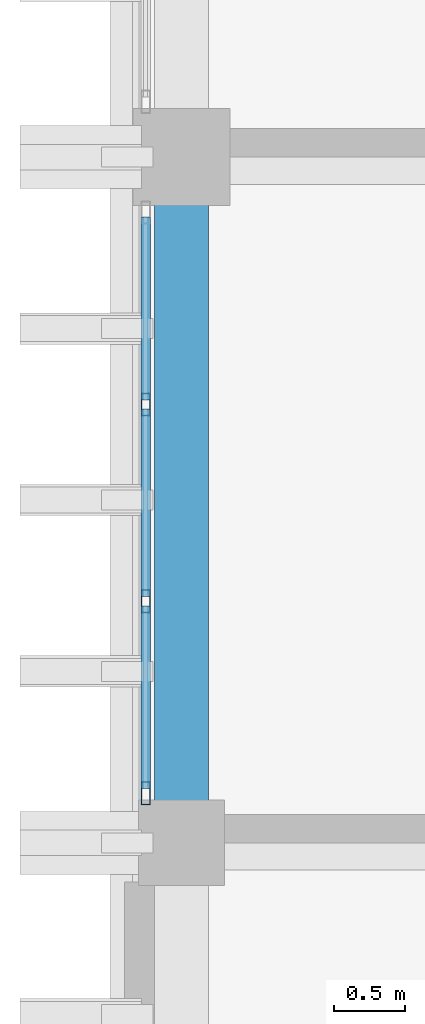
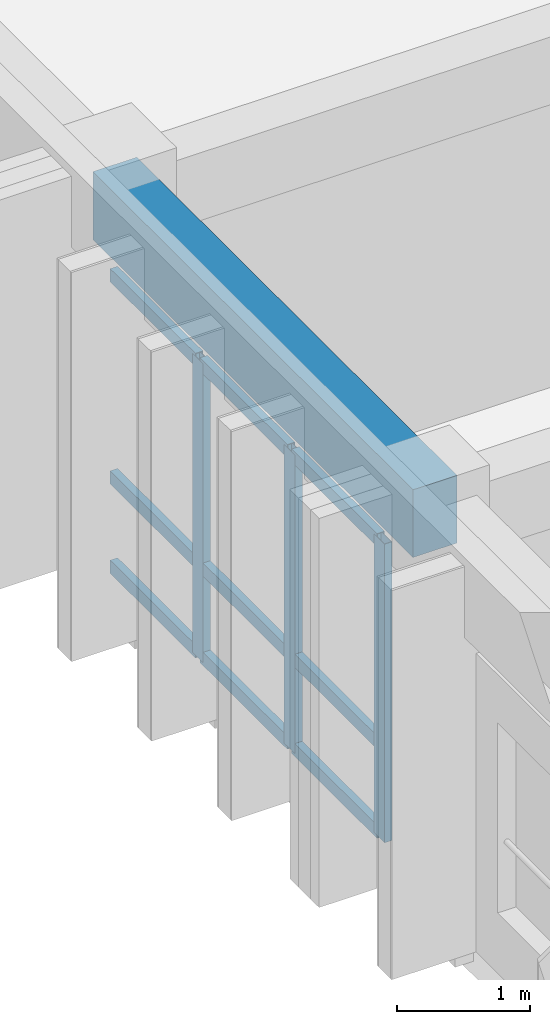
# One storey, part 4 of 53: 12 members, 1 beam, 1 element without a shape of its own.
"""IFC4 building model written with IfcOpenShell, lengths in metres."""

from ifc_helpers import new_model, si_unit, direction, frame, origin, origin_2d, place, context, subcontext, project, spatial, rectangle, hollow_rectangle, extrude, material, layer, layer_set, material_profile, profile_set, type_object, element, aggregate, save


model = new_model("IFC4")

# Units and contexts
model_context = context("Model", 3, precision=1e-05, world=origin(), true_north=direction((0.0, 1.0)))
body_context = subcontext(model_context, "Body", "Model", "MODEL_VIEW")
ifc_project = project(units=[si_unit("LENGTHUNIT", "METRE"), si_unit("AREAUNIT", "SQUARE_METRE"), si_unit("VOLUMEUNIT", "CUBIC_METRE"), si_unit("PLANEANGLEUNIT", "RADIAN"), si_unit("MASSUNIT", "GRAM", prefix="KILO")], contexts=[model_context])

# Site, building, storey
site_placement = place(None, origin())
site = spatial("IfcSite", under=ifc_project, at=site_placement, CompositionType="ELEMENT")
building_placement = place(site_placement, origin())
building = spatial("IfcBuilding", under=site, at=building_placement, Name="Nakhvara Creek Congress Hotel", CompositionType="ELEMENT")
storey_placement = place(building_placement, frame((0.0, 0.0, 35.39990234375)))
storey = spatial("IfcBuildingStorey", under=building, at=storey_placement, Name="L08", CompositionType="ELEMENT", Elevation=35.39990234375)

# Beam
ifc_material_1 = material(Name="Concrete C40/50", Category="concrete")
ifc_material_profile_1 = material_profile(ifc_material_1, rectangle(XDim=0.3798828125, YDim=0.6201171875, at=origin_2d()), Name="RC-BM 380x620", Category="LoadBearing")
ifc_profile_set_1 = profile_set([ifc_material_profile_1], Name="Concrete C40/50")
beam_type = type_object("IfcBeamType", Name="BM-RC-380X620", PredefinedType="BEAM", material=ifc_profile_set_1)
beam_placement = place(storey_placement, frame((149.449951171875, 62.39990234375, 3.050048828125), z_axis=(0.0, 1.0, 0.0), x_axis=(-1.0, 0.0, 0.0)))
element("IfcBeam", 1, at=beam_placement, inside=storey, type_object=beam_type, Name="Beam B10-L08-2433", PredefinedType="BEAM", context=body_context, shape_type="SweptSolid", body=[
    extrude(rectangle(XDim=0.3798828125, YDim=0.6201171875, at=origin_2d()), origin(), (0.0, 0.0, 1.0), 4.800048828125),
])

# Curtain wall, members
ifc_material_2 = material(Name="Bronze-anodised aluminium AW-6063-T6 and double-silver low-E glass", Category="aluminium")
ifc_layer = layer(ifc_material_2, 0.199951171875)
ifc_layer_set = layer_set([ifc_layer], Name="Bronze-anodised aluminium AW-6063-T6 and double-silver low-E glass")
curtain_wall_type = type_object("IfcCurtainWallType", Name="CW-HTL-UNIT", PredefinedType="USERDEFINED", material=ifc_layer_set)
curtain_wall_placement = place(storey_placement, origin())
curtain_wall = element("IfcCurtainWall", 2, at=curtain_wall_placement, inside=storey, type_object=curtain_wall_type, Name="Curtain Wall CW278", ObjectType="UNITISED", PredefinedType="USERDEFINED")
ifc_material_3 = material(Name="Bronze-anodised aluminium AW-6063-T6", Category="aluminium")
ifc_material_profile_2 = material_profile(ifc_material_3, hollow_rectangle(XDim=0.06494140625, YDim=0.159912109375, WallThickness=0.00390625, at=origin_2d()), Name="ALU-MULL 65x160x4", Category="LoadBearing")
ifc_profile_set_2 = profile_set([ifc_material_profile_2], Name="Bronze-anodised aluminium AW-6063-T6")
member_type_1 = type_object("IfcMemberType", Name="CW-MULL-160", PredefinedType="MULLION", material=ifc_profile_set_2)
member_1_placement = place(storey_placement, frame((149.199951171875, 62.74755859375, 0.0), z_axis=(0.0, 0.0, 1.0), x_axis=(-1.0, 0.0, 0.0)))
member_1 = element("IfcMember", 3, at=member_1_placement, type_object=member_type_1, Name="CW278 mullion 1", PredefinedType="MULLION", context=body_context, shape_type="SweptSolid", body=[
    extrude(hollow_rectangle(XDim=0.06494140625, YDim=0.159912109375, WallThickness=0.00390625, at=origin_2d()), origin(), (0.0, 0.0, 1.0), 2.732177734375),
])
member_2_placement = place(storey_placement, frame((149.199951171875, 64.091552734375, 0.0), z_axis=(0.0, 0.0, 1.0), x_axis=(-1.0, 0.0, 0.0)))
member_2 = element("IfcMember", 4, at=member_2_placement, type_object=member_type_1, Name="CW278 mullion 2", PredefinedType="MULLION", context=body_context, shape_type="SweptSolid", body=[
    extrude(hollow_rectangle(XDim=0.06494140625, YDim=0.159912109375, WallThickness=0.00390625, at=origin_2d()), origin(), (0.0, 0.0, 1.0), 2.732177734375),
])
member_3_placement = place(storey_placement, frame((149.199951171875, 65.46826171875, 0.0), z_axis=(0.0, 0.0, 1.0), x_axis=(-1.0, 0.0, 0.0)))
member_3 = element("IfcMember", 5, at=member_3_placement, type_object=member_type_1, Name="CW278 mullion 3", PredefinedType="MULLION", context=body_context, shape_type="SweptSolid", body=[
    extrude(hollow_rectangle(XDim=0.06494140625, YDim=0.159912109375, WallThickness=0.00390625, at=origin_2d()), origin(), (0.0, 0.0, 1.0), 2.732177734375),
])
ifc_material_profile_3 = material_profile(ifc_material_3, hollow_rectangle(XDim=0.06494140625, YDim=0.1201171875, WallThickness=0.00390625, at=origin_2d()), Name="ALU-TRAN 65x120x4", Category="LoadBearing")
ifc_profile_set_3 = profile_set([ifc_material_profile_3], Name="Bronze-anodised aluminium AW-6063-T6")
member_type_2 = type_object("IfcMemberType", Name="CW-TRAN-120", PredefinedType="USERDEFINED", material=ifc_profile_set_3)
member_4_placement = place(storey_placement, frame((149.199951171875, 62.780029296875, 0.03271484375), z_axis=(0.0, 1.0, 0.0), x_axis=(-1.0, 0.0, 0.0)))
member_4 = element("IfcMember", 6, at=member_4_placement, type_object=member_type_2, Name="CW278 transom 1.1", ObjectType="TRANSOM", PredefinedType="USERDEFINED", context=body_context, shape_type="SweptSolid", body=[
    extrude(hollow_rectangle(XDim=0.06494140625, YDim=0.1201171875, WallThickness=0.00390625, at=origin_2d()), origin(), (0.0, 0.0, 1.0), 1.279052734375),
])
member_5_placement = place(storey_placement, frame((149.199951171875, 62.780029296875, 0.85009765625), z_axis=(0.0, 1.0, 0.0), x_axis=(-1.0, 0.0, 0.0)))
member_5 = element("IfcMember", 7, at=member_5_placement, type_object=member_type_2, Name="CW278 transom 1.2", ObjectType="TRANSOM", PredefinedType="USERDEFINED", context=body_context, shape_type="SweptSolid", body=[
    extrude(hollow_rectangle(XDim=0.06494140625, YDim=0.1201171875, WallThickness=0.00390625, at=origin_2d()), origin(), (0.0, 0.0, 1.0), 1.279052734375),
])
member_6_placement = place(storey_placement, frame((149.199951171875, 62.780029296875, 2.69970703125), z_axis=(0.0, 1.0, 0.0), x_axis=(-1.0, 0.0, 0.0)))
member_6 = element("IfcMember", 8, at=member_6_placement, type_object=member_type_2, Name="CW278 transom 1.3", ObjectType="TRANSOM", PredefinedType="USERDEFINED", context=body_context, shape_type="SweptSolid", body=[
    extrude(hollow_rectangle(XDim=0.06494140625, YDim=0.1201171875, WallThickness=0.00390625, at=origin_2d()), origin(), (0.0, 0.0, 1.0), 1.279052734375),
])
member_7_placement = place(storey_placement, frame((149.199951171875, 64.124267578125, 0.03271484375), z_axis=(0.0, 1.0, 0.0), x_axis=(-1.0, 0.0, 0.0)))
member_7 = element("IfcMember", 9, at=member_7_placement, type_object=member_type_2, Name="CW278 transom 2.1", ObjectType="TRANSOM", PredefinedType="USERDEFINED", context=body_context, shape_type="SweptSolid", body=[
    extrude(hollow_rectangle(XDim=0.06494140625, YDim=0.1201171875, WallThickness=0.00390625, at=origin_2d()), origin(), (0.0, 0.0, 1.0), 1.3115234375),
])
member_8_placement = place(storey_placement, frame((149.199951171875, 64.124267578125, 0.85009765625), z_axis=(0.0, 1.0, 0.0), x_axis=(-1.0, 0.0, 0.0)))
member_8 = element("IfcMember", 10, at=member_8_placement, type_object=member_type_2, Name="CW278 transom 2.2", ObjectType="TRANSOM", PredefinedType="USERDEFINED", context=body_context, shape_type="SweptSolid", body=[
    extrude(hollow_rectangle(XDim=0.06494140625, YDim=0.1201171875, WallThickness=0.00390625, at=origin_2d()), origin(), (0.0, 0.0, 1.0), 1.3115234375),
])
member_9_placement = place(storey_placement, frame((149.199951171875, 64.124267578125, 2.69970703125), z_axis=(0.0, 1.0, 0.0), x_axis=(-1.0, 0.0, 0.0)))
member_9 = element("IfcMember", 11, at=member_9_placement, type_object=member_type_2, Name="CW278 transom 2.3", ObjectType="TRANSOM", PredefinedType="USERDEFINED", context=body_context, shape_type="SweptSolid", body=[
    extrude(hollow_rectangle(XDim=0.06494140625, YDim=0.1201171875, WallThickness=0.00390625, at=origin_2d()), origin(), (0.0, 0.0, 1.0), 1.3115234375),
])
member_10_placement = place(storey_placement, frame((149.199951171875, 65.500732421875, 0.03271484375), z_axis=(0.0, 1.0, 0.0), x_axis=(-1.0, 0.0, 0.0)))
member_10 = element("IfcMember", 12, at=member_10_placement, type_object=member_type_2, Name="CW278 transom 3.1", ObjectType="TRANSOM", PredefinedType="USERDEFINED", context=body_context, shape_type="SweptSolid", body=[
    extrude(hollow_rectangle(XDim=0.06494140625, YDim=0.1201171875, WallThickness=0.00390625, at=origin_2d()), origin(), (0.0, 0.0, 1.0), 1.279296875),
])
member_11_placement = place(storey_placement, frame((149.199951171875, 65.500732421875, 0.85009765625), z_axis=(0.0, 1.0, 0.0), x_axis=(-1.0, 0.0, 0.0)))
member_11 = element("IfcMember", 13, at=member_11_placement, type_object=member_type_2, Name="CW278 transom 3.2", ObjectType="TRANSOM", PredefinedType="USERDEFINED", context=body_context, shape_type="SweptSolid", body=[
    extrude(hollow_rectangle(XDim=0.06494140625, YDim=0.1201171875, WallThickness=0.00390625, at=origin_2d()), origin(), (0.0, 0.0, 1.0), 1.279296875),
])
member_12_placement = place(storey_placement, frame((149.199951171875, 65.500732421875, 2.69970703125), z_axis=(0.0, 1.0, 0.0), x_axis=(-1.0, 0.0, 0.0)))
member_12 = element("IfcMember", 14, at=member_12_placement, type_object=member_type_2, Name="CW278 transom 3.3", ObjectType="TRANSOM", PredefinedType="USERDEFINED", context=body_context, shape_type="SweptSolid", body=[
    extrude(hollow_rectangle(XDim=0.06494140625, YDim=0.1201171875, WallThickness=0.00390625, at=origin_2d()), origin(), (0.0, 0.0, 1.0), 1.279296875),
])
aggregate(curtain_wall, [member_1, member_2, member_3, member_4, member_5, member_6, member_7, member_8, member_9, member_10, member_11, member_12])

save(model, "model.ifc")
